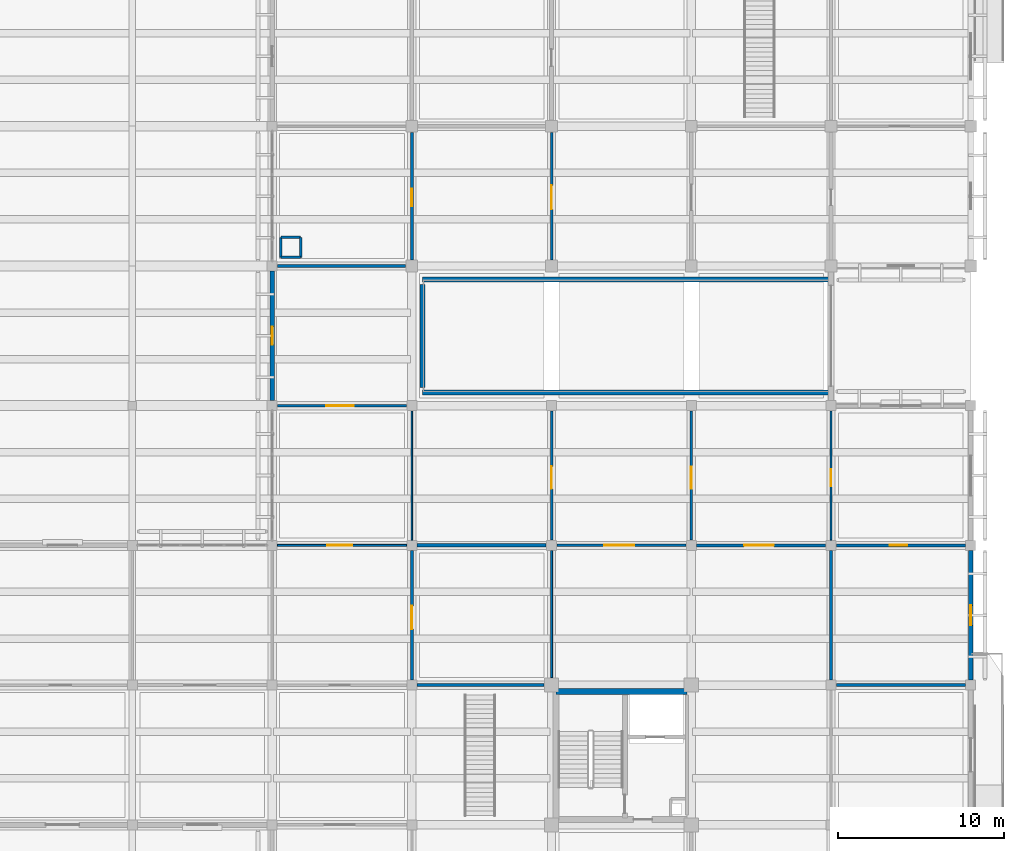
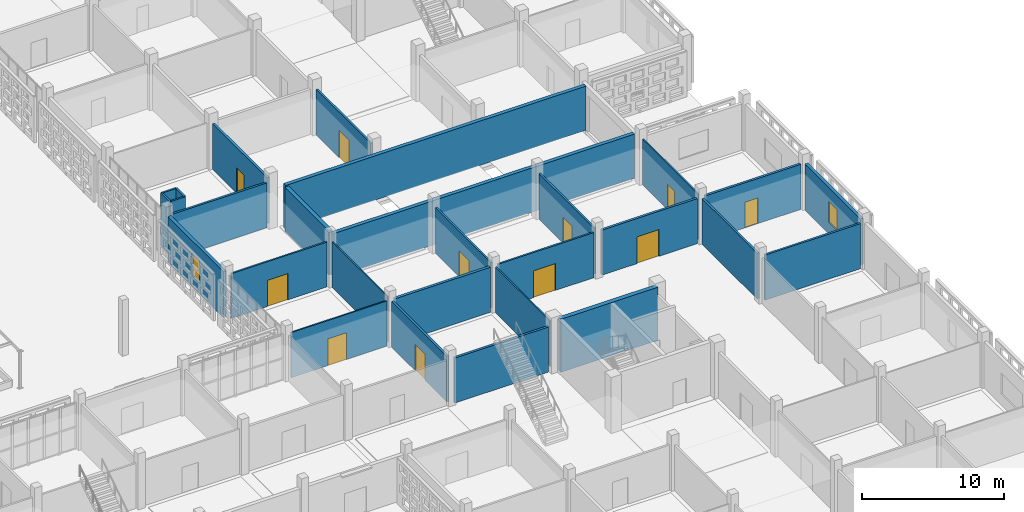
# One storey, part 70 of 129: 28 walls, 11 doors, 2 windows, 13 openings.
"""IFC4 building model written with IfcOpenShell, lengths in metres."""

from ifc_helpers import new_model, si_unit, direction, frame, frame_2d, origin, place, context, subcontext, project, spatial, rectangle, extrude, material, layer, layer_set, type_object, element, fill, save


model = new_model("IFC4")

# Units and contexts
model_context = context("Model", 3, precision=1e-05, world=origin(), true_north=direction((0.0, 1.0)))
body_context = subcontext(model_context, "Body", "Model", "MODEL_VIEW")
ifc_project = project(units=[si_unit("LENGTHUNIT", "METRE"), si_unit("AREAUNIT", "SQUARE_METRE"), si_unit("VOLUMEUNIT", "CUBIC_METRE"), si_unit("PLANEANGLEUNIT", "RADIAN"), si_unit("MASSUNIT", "GRAM", prefix="KILO")], contexts=[model_context])

# Site, building, storey
site_placement = place(None, origin())
site = spatial("IfcSite", under=ifc_project, at=site_placement, CompositionType="ELEMENT")
building_placement = place(site_placement, origin())
building = spatial("IfcBuilding", under=site, at=building_placement, Name="Varnapada Polytechnic", CompositionType="ELEMENT")
storey_placement = place(building_placement, origin())
storey = spatial("IfcBuildingStorey", under=building, at=storey_placement, Name="L00", CompositionType="ELEMENT", Elevation=0.0)

# Walls
ifc_material_1 = material(Name="Autoclaved Aerated Concrete Block AAC-600", Category="concrete")
ifc_layer_1 = layer(ifc_material_1, 0.14990234375)
ifc_layer_set_1 = layer_set([ifc_layer_1], Name="Autoclaved Aerated Concrete Block AAC-600")
wall_type_1 = type_object("IfcWallType", Name="Interior Wall IW-02", PredefinedType="PARTITIONING", material=ifc_layer_set_1)
wall_1_placement = place(storey_placement, frame((134.919921875, 59.320068359375, 0.0), z_axis=(0.0, 0.0, 1.0), x_axis=(1.0, 0.0, 0.0)))
element("IfcWall", 1, at=wall_1_placement, inside=storey, type_object=wall_type_1, Name="L00 enclosed service riser wall (17,8) S", PredefinedType="PARTITIONING", context=body_context, shape_type="SweptSolid", body=[
    extrude(rectangle(XDim=1.2001953125, YDim=0.14990234375, at=frame_2d((0.60009765625, 0.0))), origin(), (0.0, 0.0, 1.0), 4.550048828125),
])
wall_2_placement = place(storey_placement, frame((136.1201171875, 59.320068359375, 0.0), z_axis=(0.0, 0.0, 1.0), x_axis=(0.0, 1.0, 0.0)))
element("IfcWall", 2, at=wall_2_placement, inside=storey, type_object=wall_type_1, Name="L00 enclosed service riser wall (17,8) E", PredefinedType="PARTITIONING", context=body_context, shape_type="SweptSolid", body=[
    extrude(rectangle(XDim=1.199951171875, YDim=0.14990234375, at=frame_2d((0.60009765625, 0.0))), origin(), (0.0, 0.0, 1.0), 4.550048828125),
])
wall_3_placement = place(storey_placement, frame((136.1201171875, 60.52001953125, 0.0), z_axis=(0.0, 0.0, 1.0), x_axis=(-1.0, 0.0, 0.0)))
element("IfcWall", 3, at=wall_3_placement, inside=storey, type_object=wall_type_1, Name="L00 enclosed service riser wall (17,8) N", PredefinedType="PARTITIONING", context=body_context, shape_type="SweptSolid", body=[
    extrude(rectangle(XDim=1.2001953125, YDim=0.14990234375, at=frame_2d((0.60009765625, 0.0))), origin(), (0.0, 0.0, 1.0), 4.550048828125),
])
wall_4_placement = place(storey_placement, frame((134.919921875, 60.52001953125, 0.0), z_axis=(0.0, 0.0, 1.0), x_axis=(0.0, -1.0, 0.0)))
element("IfcWall", 4, at=wall_4_placement, inside=storey, type_object=wall_type_1, Name="L00 enclosed service riser wall (17,8) W", PredefinedType="PARTITIONING", context=body_context, shape_type="SweptSolid", body=[
    extrude(rectangle(XDim=1.199951171875, YDim=0.14990234375, at=frame_2d((0.60009765625, 0.0))), origin(), (0.0, 0.0, 1.0), 4.550048828125),
])

# Wall, opening, door
ifc_material_2 = material(Name="Acoustic Double-Stud Studio Partition")
ifc_layer_2 = layer(ifc_material_2, 0.179931640625)
ifc_layer_set_2 = layer_set([ifc_layer_2], Name="Acoustic Double-Stud Studio Partition")
wall_type_2 = type_object("IfcWallType", Name="Interior Wall IW-06", PredefinedType="PARTITIONING", material=ifc_layer_set_2)
wall_5_placement = place(storey_placement, frame((142.800048828125, 33.919921875, 0.0), z_axis=(0.0, 0.0, 1.0), x_axis=(0.0, 1.0, 0.0)))
wall_5 = element("IfcWall", 5, at=wall_5_placement, inside=storey, type_object=wall_type_2, Name="L00 interior partition IW-L00-16-04-V", PredefinedType="PARTITIONING", context=body_context, shape_type="SweptSolid", body=[
    extrude(rectangle(XDim=7.760009765625, YDim=0.179931640625, at=frame_2d((3.8798828125, 0.0))), origin(), (0.0, 0.0, 1.0), 3.919921875),
])
opening_1_placement = place(wall_5_placement, frame((3.050048828125, 0.0, 0.0)))
opening_1 = element("IfcOpeningElement", 6, at=opening_1_placement, cuts=wall_5, Name="Opening D-905", PredefinedType="OPENING", context=body_context, shape_type="SweptSolid", body=[
    extrude(rectangle(XDim=1.39990234375, YDim=2.25, at=frame_2d((0.699951171875, 1.125))), frame((0.0, 0.099853515625, 0.0), z_axis=(0.0, -1.0, 0.0), x_axis=(1.0, 0.0, 0.0)), (0.0, 0.0, 1.0), 0.199951171875),
])
ifc_material_3 = material(Name="Powder-Coated Aluminium 6063-T6", Category="aluminium")
door_type_1 = type_object("IfcDoorType", Name="Interior Door ID-06", OperationType="NOTDEFINED", PredefinedType="DOOR", material=ifc_material_3)
door_1_placement = place(opening_1_placement, frame((1.39990234375, 0.0, 0.0), z_axis=(0.0, 0.0, 1.0), x_axis=(-1.0, 0.0, 0.0)))
door_1 = element("IfcDoor", 7, at=door_1_placement, inside=storey, type_object=door_type_1, Name="L00 interior room door D-905", OperationType="SINGLE_SWING_RIGHT", OverallHeight=2.25, OverallWidth=1.39990234375, PredefinedType="DOOR", context=body_context, shape_type="SweptSolid", body=[
    extrude(rectangle(XDim=1.39990234375, YDim=2.25, at=frame_2d((0.699951171875, 1.125))), frame((0.0, 0.02490234375, 0.0), z_axis=(0.0, -1.0, 0.0), x_axis=(1.0, 0.0, 0.0)), (0.0, 0.0, 1.0), 0.050048828125),
])
fill(opening_1, door_1)

ifc_material_4 = material(Name="Glazed Timber-Framed Studio Screen", Category="wood")
ifc_layer_3 = layer(ifc_material_4, 0.110107421875)
ifc_layer_set_3 = layer_set([ifc_layer_3], Name="Glazed Timber-Framed Studio Screen")
wall_type_3 = type_object("IfcWallType", Name="Interior Wall IW-07", PredefinedType="PARTITIONING", material=ifc_layer_set_3)
wall_6_placement = place(storey_placement, frame((134.719970703125, 42.0, 0.0), z_axis=(0.0, 0.0, 1.0), x_axis=(1.0, 0.0, 0.0)))
wall_6 = element("IfcWall", 8, at=wall_6_placement, inside=storey, type_object=wall_type_3, Name="L00 interior partition IW-L00-16-04-H", PredefinedType="PARTITIONING", context=body_context, shape_type="SweptSolid", body=[
    extrude(rectangle(XDim=7.760009765625, YDim=0.110107421875, at=frame_2d((3.8798828125, 0.0))), origin(), (0.0, 0.0, 1.0), 3.8701171875),
])
opening_2_placement = place(wall_6_placement, frame((3.0, 0.0, 0.0)))
opening_2 = element("IfcOpeningElement", 9, at=opening_2_placement, cuts=wall_6, Name="Opening D-906", PredefinedType="OPENING", context=body_context, shape_type="SweptSolid", body=[
    extrude(rectangle(XDim=1.5, YDim=2.300048828125, at=frame_2d((0.75, 1.14990234375))), frame((0.0, 0.06494140625, 0.0), z_axis=(0.0, -1.0, 0.0), x_axis=(1.0, 0.0, 0.0)), (0.0, 0.0, 1.0), 0.130126953125),
])
ifc_material_5 = material(Name="Galvanized Steel Z275", Category="steel")
door_type_2 = type_object("IfcDoorType", Name="Interior Door ID-07", OperationType="NOTDEFINED", PredefinedType="DOOR", material=ifc_material_5)
door_2_placement = place(opening_2_placement, origin())
door_2 = element("IfcDoor", 10, at=door_2_placement, inside=storey, type_object=door_type_2, Name="L00 interior room door D-906", OperationType="SINGLE_SWING_LEFT", OverallHeight=2.300048828125, OverallWidth=1.5, PredefinedType="DOOR", context=body_context, shape_type="SweptSolid", body=[
    extrude(rectangle(XDim=1.5, YDim=2.300048828125, at=frame_2d((0.75, 1.14990234375))), frame((0.0, 0.02490234375, 0.0), z_axis=(0.0, -1.0, 0.0), x_axis=(1.0, 0.0, 0.0)), (0.0, 0.0, 1.0), 0.050048828125),
])
fill(opening_2, door_2)

# Wall
ifc_material_6 = material(Name="Operable Acoustic Seminar Partition")
ifc_layer_4 = layer(ifc_material_6, 0.10009765625)
ifc_layer_set_4 = layer_set([ifc_layer_4], Name="Operable Acoustic Seminar Partition")
wall_type_4 = type_object("IfcWallType", Name="Interior Wall IW-08", PredefinedType="MOVABLE", material=ifc_layer_set_4)
wall_7_placement = place(storey_placement, frame((142.800048828125, 42.320068359375, 0.0), z_axis=(0.0, 0.0, 1.0), x_axis=(0.0, 1.0, 0.0)))
element("IfcWall", 11, at=wall_7_placement, inside=storey, type_object=wall_type_4, Name="L00 interior partition IW-L00-16-05-V", PredefinedType="MOVABLE", context=body_context, shape_type="SweptSolid", body=[
    extrude(rectangle(XDim=7.760009765625, YDim=0.10009765625, at=frame_2d((3.8798828125, 0.0))), origin(), (0.0, 0.0, 1.0), 3.919921875),
])

# Wall, opening, door
ifc_material_7 = material(Name="Calcium Silicate Acoustic Lab Partition")
ifc_layer_5 = layer(ifc_material_7, 0.135009765625)
ifc_layer_set_5 = layer_set([ifc_layer_5], Name="Calcium Silicate Acoustic Lab Partition")
wall_type_5 = type_object("IfcWallType", Name="Interior Wall IW-09", PredefinedType="PARTITIONING", material=ifc_layer_set_5)
wall_8_placement = place(storey_placement, frame((134.719970703125, 50.39990234375, 0.0), z_axis=(0.0, 0.0, 1.0), x_axis=(1.0, 0.0, 0.0)))
wall_8 = element("IfcWall", 12, at=wall_8_placement, inside=storey, type_object=wall_type_5, Name="L00 interior partition IW-L00-16-05-H", PredefinedType="PARTITIONING", context=body_context, shape_type="SweptSolid", body=[
    extrude(rectangle(XDim=7.760009765625, YDim=0.135009765625, at=frame_2d((3.8798828125, 0.0))), origin(), (0.0, 0.0, 1.0), 3.85009765625),
])
opening_3_placement = place(wall_8_placement, frame((2.925048828125, 0.0, 0.0)))
opening_3 = element("IfcOpeningElement", 13, at=opening_3_placement, cuts=wall_8, Name="Opening D-907", PredefinedType="OPENING", context=body_context, shape_type="SweptSolid", body=[
    extrude(rectangle(XDim=1.64990234375, YDim=2.25, at=frame_2d((0.824951171875, 1.125))), frame((0.0, 0.077392578125, 0.0), z_axis=(0.0, -1.0, 0.0), x_axis=(1.0, 0.0, 0.0)), (0.0, 0.0, 1.0), 0.155029296875),
])
ifc_material_8 = material(Name="Solid Teak Hardwood Timber", Category="wood")
door_type_3 = type_object("IfcDoorType", Name="Interior Door ID-08", OperationType="NOTDEFINED", PredefinedType="DOOR", material=ifc_material_8)
door_3_placement = place(opening_3_placement, origin())
door_3 = element("IfcDoor", 14, at=door_3_placement, inside=storey, type_object=door_type_3, Name="L00 interior room door D-907", OperationType="SINGLE_SWING_RIGHT", OverallHeight=2.25, OverallWidth=1.64990234375, PredefinedType="DOOR", context=body_context, shape_type="SweptSolid", body=[
    extrude(rectangle(XDim=1.64990234375, YDim=2.25, at=frame_2d((0.824951171875, 1.125))), frame((0.0, 0.02490234375, 0.0), z_axis=(0.0, -1.0, 0.0), x_axis=(1.0, 0.0, 0.0)), (0.0, 0.0, 1.0), 0.050048828125),
])
fill(opening_3, door_3)

# Walls
ifc_material_9 = material(Name="Double-Layer Fireboard Workshop Wall")
ifc_layer_6 = layer(ifc_material_9, 0.169921875)
ifc_layer_set_6 = layer_set([ifc_layer_6], Name="Double-Layer Fireboard Workshop Wall")
wall_type_6 = type_object("IfcWallType", Name="Interior Wall IW-10", PredefinedType="PARTITIONING", material=ifc_layer_set_6)
wall_9_placement = place(storey_placement, frame((134.719970703125, 58.800048828125, 0.0), z_axis=(0.0, 0.0, 1.0), x_axis=(1.0, 0.0, 0.0)))
element("IfcWall", 15, at=wall_9_placement, inside=storey, type_object=wall_type_6, Name="L00 interior partition IW-L00-16-06-H", PredefinedType="PARTITIONING", context=body_context, shape_type="SweptSolid", body=[
    extrude(rectangle(XDim=7.7099609375, YDim=0.169921875, at=frame_2d((3.85498046875, 0.0))), origin(), (0.0, 0.0, 1.0), 3.85009765625),
])
wall_10_placement = place(storey_placement, frame((168.0, 33.919921875, 0.0), z_axis=(0.0, 0.0, 1.0), x_axis=(0.0, 1.0, 0.0)))
element("IfcWall", 16, at=wall_10_placement, inside=storey, type_object=wall_type_6, Name="L00 interior partition IW-L00-19-04-V", PredefinedType="PARTITIONING", context=body_context, shape_type="SweptSolid", body=[
    extrude(rectangle(XDim=7.760009765625, YDim=0.169921875, at=frame_2d((3.8798828125, 0.0))), origin(), (0.0, 0.0, 1.0), 3.919921875),
])
wall_11_placement = place(storey_placement, frame((168.320068359375, 33.60009765625, 0.0), z_axis=(0.0, 0.0, 1.0), x_axis=(1.0, 0.0, 0.0)))
element("IfcWall", 17, at=wall_11_placement, inside=storey, type_object=wall_type_6, Name="L00 interior partition IW-L00-20-03-H", PredefinedType="PARTITIONING", context=body_context, shape_type="SweptSolid", body=[
    extrude(rectangle(XDim=7.760009765625, YDim=0.169921875, at=frame_2d((3.8798828125, 0.0))), origin(), (0.0, 0.0, 1.0), 3.8701171875),
])

# Wall, opening, door
ifc_material_10 = material(Name="Insulated Masonry Plant Room Wall", Category="masonry")
ifc_layer_7 = layer(ifc_material_10, 0.18994140625)
ifc_layer_set_7 = layer_set([ifc_layer_7], Name="Insulated Masonry Plant Room Wall")
wall_type_7 = type_object("IfcWallType", Name="Interior Wall IW-11", PredefinedType="PARTITIONING", material=ifc_layer_set_7)
wall_12_placement = place(storey_placement, frame((142.800048828125, 59.169921875, 0.0), z_axis=(0.0, 0.0, 1.0), x_axis=(0.0, 1.0, 0.0)))
wall_12 = element("IfcWall", 18, at=wall_12_placement, inside=storey, type_object=wall_type_7, Name="L00 interior partition IW-L00-16-07-V", PredefinedType="PARTITIONING", context=body_context, shape_type="SweptSolid", body=[
    extrude(rectangle(XDim=7.66015625, YDim=0.18994140625, at=frame_2d((3.830078125, 0.0))), origin(), (0.0, 0.0, 1.0), 3.919921875),
])
opening_4_placement = place(wall_12_placement, frame((3.22509765625, 0.0, 0.0)))
opening_4 = element("IfcOpeningElement", 19, at=opening_4_placement, cuts=wall_12, Name="Opening D-908", PredefinedType="OPENING", context=body_context, shape_type="SweptSolid", body=[
    extrude(rectangle(XDim=1.050048828125, YDim=2.199951171875, at=frame_2d((0.52490234375, 1.10009765625))), frame((0.0, 0.10498046875, 0.0), z_axis=(0.0, -1.0, 0.0), x_axis=(1.0, 0.0, 0.0)), (0.0, 0.0, 1.0), 0.2099609375),
])
door_type_4 = type_object("IfcDoorType", Name="Interior Door ID-09", OperationType="NOTDEFINED", PredefinedType="DOOR", material=ifc_material_8)
door_4_placement = place(opening_4_placement, frame((1.050048828125, 0.0, 0.0), z_axis=(0.0, 0.0, 1.0), x_axis=(-1.0, 0.0, 0.0)))
door_4 = element("IfcDoor", 20, at=door_4_placement, inside=storey, type_object=door_type_4, Name="L00 interior room door D-908", OperationType="SINGLE_SWING_LEFT", OverallHeight=2.199951171875, OverallWidth=1.050048828125, PredefinedType="DOOR", context=body_context, shape_type="SweptSolid", body=[
    extrude(rectangle(XDim=1.050048828125, YDim=2.199951171875, at=frame_2d((0.52490234375, 1.10009765625))), frame((0.0, 0.02490234375, 0.0), z_axis=(0.0, -1.0, 0.0), x_axis=(1.0, 0.0, 0.0)), (0.0, 0.0, 1.0), 0.050048828125),
])
fill(opening_4, door_4)

# Wall
wall_13_placement = place(storey_placement, frame((143.1201171875, 33.60009765625, 0.0), z_axis=(0.0, 0.0, 1.0), x_axis=(1.0, 0.0, 0.0)))
element("IfcWall", 21, at=wall_13_placement, inside=storey, type_object=wall_type_7, Name="L00 interior partition IW-L00-17-03-H", PredefinedType="PARTITIONING", context=body_context, shape_type="SweptSolid", body=[
    extrude(rectangle(XDim=7.634765625, YDim=0.18994140625, at=frame_2d((3.8173828125, 0.0))), origin(), (0.0, 0.0, 1.0), 3.8701171875),
])

# Wall, opening, door
wall_14_placement = place(storey_placement, frame((159.919921875, 42.0, 0.0), z_axis=(0.0, 0.0, 1.0), x_axis=(1.0, 0.0, 0.0)))
wall_14 = element("IfcWall", 22, at=wall_14_placement, inside=storey, type_object=wall_type_7, Name="L00 interior partition IW-L00-19-04-H", PredefinedType="PARTITIONING", context=body_context, shape_type="SweptSolid", body=[
    extrude(rectangle(XDim=7.760009765625, YDim=0.18994140625, at=frame_2d((3.8798828125, 0.0))), origin(), (0.0, 0.0, 1.0), 3.8701171875),
])
opening_5_placement = place(wall_14_placement, frame((2.85009765625, 0.0, 0.0)))
opening_5 = element("IfcOpeningElement", 23, at=opening_5_placement, cuts=wall_14, Name="Opening D-934", PredefinedType="OPENING", context=body_context, shape_type="SweptSolid", body=[
    extrude(rectangle(XDim=1.800048828125, YDim=2.300048828125, at=frame_2d((0.89990234375, 1.14990234375))), frame((0.0, 0.10498046875, 0.0), z_axis=(0.0, -1.0, 0.0), x_axis=(1.0, 0.0, 0.0)), (0.0, 0.0, 1.0), 0.2099609375),
])
ifc_material_11 = material(Name="Acoustic Double Timber Leaf", Category="wood")
door_type_5 = type_object("IfcDoorType", Name="Interior Door ID-04", OperationType="NOTDEFINED", PredefinedType="DOOR", material=ifc_material_11)
door_5_placement = place(opening_5_placement, origin())
door_5 = element("IfcDoor", 24, at=door_5_placement, inside=storey, type_object=door_type_5, Name="L00 interior room door D-934", OperationType="SINGLE_SWING_LEFT", OverallHeight=2.300048828125, OverallWidth=1.800048828125, PredefinedType="DOOR", context=body_context, shape_type="SweptSolid", body=[
    extrude(rectangle(XDim=1.800048828125, YDim=2.300048828125, at=frame_2d((0.89990234375, 1.14990234375))), frame((0.0, 0.02490234375, 0.0), z_axis=(0.0, -1.0, 0.0), x_axis=(1.0, 0.0, 0.0)), (0.0, 0.0, 1.0), 0.050048828125),
])
fill(opening_5, door_5)

wall_15_placement = place(storey_placement, frame((168.320068359375, 42.0, 0.0), z_axis=(0.0, 0.0, 1.0), x_axis=(1.0, 0.0, 0.0)))
wall_15 = element("IfcWall", 25, at=wall_15_placement, inside=storey, type_object=wall_type_7, Name="L00 interior partition IW-L00-20-04-H", PredefinedType="PARTITIONING", context=body_context, shape_type="SweptSolid", body=[
    extrude(rectangle(XDim=7.760009765625, YDim=0.18994140625, at=frame_2d((3.8798828125, 0.0))), origin(), (0.0, 0.0, 1.0), 3.8701171875),
])
opening_6_placement = place(wall_15_placement, frame((3.22509765625, 0.0, 0.0)))
opening_6 = element("IfcOpeningElement", 26, at=opening_6_placement, cuts=wall_15, Name="Opening D-942", PredefinedType="OPENING", context=body_context, shape_type="SweptSolid", body=[
    extrude(rectangle(XDim=1.050048828125, YDim=2.199951171875, at=frame_2d((0.52490234375, 1.10009765625))), frame((0.0, 0.10498046875, 0.0), z_axis=(0.0, -1.0, 0.0), x_axis=(1.0, 0.0, 0.0)), (0.0, 0.0, 1.0), 0.2099609375),
])
door_6_placement = place(opening_6_placement, origin())
door_6 = element("IfcDoor", 27, at=door_6_placement, inside=storey, type_object=door_type_4, Name="L00 interior room door D-942", OperationType="SINGLE_SWING_LEFT", OverallHeight=2.199951171875, OverallWidth=1.050048828125, PredefinedType="DOOR", context=body_context, shape_type="SweptSolid", body=[
    extrude(rectangle(XDim=1.050048828125, YDim=2.199951171875, at=frame_2d((0.52490234375, 1.10009765625))), frame((0.0, 0.02490234375, 0.0), z_axis=(0.0, -1.0, 0.0), x_axis=(1.0, 0.0, 0.0)), (0.0, 0.0, 1.0), 0.050048828125),
])
fill(opening_6, door_6)

# Wall
ifc_material_12 = material(Name="Timber-Stud Studio Critique Partition", Category="wood")
ifc_layer_8 = layer(ifc_material_12, 0.114990234375)
ifc_layer_set_8 = layer_set([ifc_layer_8], Name="Timber-Stud Studio Critique Partition")
wall_type_8 = type_object("IfcWallType", Name="Interior Wall IW-12", PredefinedType="PARTITIONING", material=ifc_layer_set_8)
wall_16_placement = place(storey_placement, frame((151.199951171875, 34.044921875, 0.0), z_axis=(0.0, 0.0, 1.0), x_axis=(0.0, 1.0, 0.0)))
element("IfcWall", 28, at=wall_16_placement, inside=storey, type_object=wall_type_8, Name="L00 interior partition IW-L00-17-04-V", PredefinedType="PARTITIONING", context=body_context, shape_type="SweptSolid", body=[
    extrude(rectangle(XDim=7.635009765625, YDim=0.114990234375, at=frame_2d((3.8173828125, 0.0))), origin(), (0.0, 0.0, 1.0), 3.919921875),
])

# Wall, opening, door
wall_17_placement = place(storey_placement, frame((168.0, 42.320068359375, 0.0), z_axis=(0.0, 0.0, 1.0), x_axis=(0.0, 1.0, 0.0)))
wall_17 = element("IfcWall", 29, at=wall_17_placement, inside=storey, type_object=wall_type_8, Name="L00 interior partition IW-L00-19-05-V", PredefinedType="PARTITIONING", context=body_context, shape_type="SweptSolid", body=[
    extrude(rectangle(XDim=7.760009765625, YDim=0.114990234375, at=frame_2d((3.8798828125, 0.0))), origin(), (0.0, 0.0, 1.0), 3.919921875),
])
opening_7_placement = place(wall_17_placement, frame((3.25, 0.0, 0.0)))
opening_7 = element("IfcOpeningElement", 30, at=opening_7_placement, cuts=wall_17, Name="Opening D-935", PredefinedType="OPENING", context=body_context, shape_type="SweptSolid", body=[
    extrude(rectangle(XDim=1.0, YDim=2.14990234375, at=frame_2d((0.5, 1.074951171875))), frame((0.0, 0.0673828125, 0.0), z_axis=(0.0, -1.0, 0.0), x_axis=(1.0, 0.0, 0.0)), (0.0, 0.0, 1.0), 0.135009765625),
])
door_type_6 = type_object("IfcDoorType", Name="Interior Door ID-02", OperationType="NOTDEFINED", PredefinedType="DOOR", material=ifc_material_8)
door_7_placement = place(opening_7_placement, frame((1.0, 0.0, 0.0), z_axis=(0.0, 0.0, 1.0), x_axis=(-1.0, 0.0, 0.0)))
door_7 = element("IfcDoor", 31, at=door_7_placement, inside=storey, type_object=door_type_6, Name="L00 interior room door D-935", OperationType="SINGLE_SWING_RIGHT", OverallHeight=2.14990234375, OverallWidth=1.0, PredefinedType="DOOR", context=body_context, shape_type="SweptSolid", body=[
    extrude(rectangle(XDim=1.0, YDim=2.14990234375, at=frame_2d((0.5, 1.074951171875))), frame((0.0, 0.02490234375, 0.0), z_axis=(0.0, -1.0, 0.0), x_axis=(1.0, 0.0, 0.0)), (0.0, 0.0, 1.0), 0.050048828125),
])
fill(opening_7, door_7)

# Wall
ifc_material_13 = material(Name="Heavy Acoustic Auditorium Baffle Wall")
ifc_layer_9 = layer(ifc_material_13, 0.219970703125)
ifc_layer_set_9 = layer_set([ifc_layer_9], Name="Heavy Acoustic Auditorium Baffle Wall")
wall_type_9 = type_object("IfcWallType", Name="Interior Wall IW-13", PredefinedType="PARTITIONING", material=ifc_layer_set_9)
wall_18_placement = place(storey_placement, frame((143.1201171875, 42.0, 0.0), z_axis=(0.0, 0.0, 1.0), x_axis=(1.0, 0.0, 0.0)))
element("IfcWall", 32, at=wall_18_placement, inside=storey, type_object=wall_type_9, Name="L00 interior partition IW-L00-17-04-H", PredefinedType="PARTITIONING", context=body_context, shape_type="SweptSolid", body=[
    extrude(rectangle(XDim=7.759765625, YDim=0.219970703125, at=frame_2d((3.8798828125, 0.0))), origin(), (0.0, 0.0, 1.0), 3.8701171875),
])

# Wall, opening, door
ifc_material_14 = material(Name="Ceramic-Tiled Wet Laboratory Wall")
ifc_layer_10 = layer(ifc_material_14, 0.14501953125)
ifc_layer_set_10 = layer_set([ifc_layer_10], Name="Ceramic-Tiled Wet Laboratory Wall")
wall_type_10 = type_object("IfcWallType", Name="Interior Wall IW-14", PredefinedType="PARTITIONING", material=ifc_layer_set_10)
wall_19_placement = place(storey_placement, frame((151.199951171875, 42.320068359375, 0.0), z_axis=(0.0, 0.0, 1.0), x_axis=(0.0, 1.0, 0.0)))
wall_19 = element("IfcWall", 33, at=wall_19_placement, inside=storey, type_object=wall_type_10, Name="L00 interior partition IW-L00-17-05-V", PredefinedType="PARTITIONING", context=body_context, shape_type="SweptSolid", body=[
    extrude(rectangle(XDim=7.760009765625, YDim=0.14501953125, at=frame_2d((3.8798828125, 0.0))), origin(), (0.0, 0.0, 1.0), 3.919921875),
])
opening_8_placement = place(wall_19_placement, frame((3.074951171875, 0.0, 0.0)))
opening_8 = element("IfcOpeningElement", 34, at=opening_8_placement, cuts=wall_19, Name="Opening D-916", PredefinedType="OPENING", context=body_context, shape_type="SweptSolid", body=[
    extrude(rectangle(XDim=1.35009765625, YDim=2.25, at=frame_2d((0.675048828125, 1.125))), frame((0.0, 0.08251953125, 0.0), z_axis=(0.0, -1.0, 0.0), x_axis=(1.0, 0.0, 0.0)), (0.0, 0.0, 1.0), 0.1650390625),
])
door_type_7 = type_object("IfcDoorType", Name="Interior Door ID-17", OperationType="NOTDEFINED", PredefinedType="DOOR", material=ifc_material_3)
door_8_placement = place(opening_8_placement, origin())
door_8 = element("IfcDoor", 35, at=door_8_placement, inside=storey, type_object=door_type_7, Name="L00 interior room door D-916", OperationType="SINGLE_SWING_LEFT", OverallHeight=2.25, OverallWidth=1.35009765625, PredefinedType="DOOR", context=body_context, shape_type="SweptSolid", body=[
    extrude(rectangle(XDim=1.35009765625, YDim=2.25, at=frame_2d((0.675048828125, 1.125))), frame((0.0, 0.02490234375, 0.0), z_axis=(0.0, -1.0, 0.0), x_axis=(1.0, 0.0, 0.0)), (0.0, 0.0, 1.0), 0.050048828125),
])
fill(opening_8, door_8)

wall_20_placement = place(storey_placement, frame((151.52001953125, 42.0, 0.0), z_axis=(0.0, 0.0, 1.0), x_axis=(1.0, 0.0, 0.0)))
wall_20 = element("IfcWall", 36, at=wall_20_placement, inside=storey, type_object=wall_type_10, Name="L00 interior partition IW-L00-18-04-H", PredefinedType="PARTITIONING", context=body_context, shape_type="SweptSolid", body=[
    extrude(rectangle(XDim=7.760009765625, YDim=0.14501953125, at=frame_2d((3.8798828125, 0.0))), origin(), (0.0, 0.0, 1.0), 3.8701171875),
])
opening_9_placement = place(wall_20_placement, frame((2.85009765625, 0.0, 0.0)))
opening_9 = element("IfcOpeningElement", 37, at=opening_9_placement, cuts=wall_20, Name="Opening D-926", PredefinedType="OPENING", context=body_context, shape_type="SweptSolid", body=[
    extrude(rectangle(XDim=1.800048828125, YDim=2.300048828125, at=frame_2d((0.89990234375, 1.14990234375))), frame((0.0, 0.08251953125, 0.0), z_axis=(0.0, -1.0, 0.0), x_axis=(1.0, 0.0, 0.0)), (0.0, 0.0, 1.0), 0.1650390625),
])
door_9_placement = place(opening_9_placement, frame((1.800048828125, 0.0, 0.0), z_axis=(0.0, 0.0, 1.0), x_axis=(-1.0, 0.0, 0.0)))
door_9 = element("IfcDoor", 38, at=door_9_placement, inside=storey, type_object=door_type_5, Name="L00 interior room door D-926", OperationType="SINGLE_SWING_LEFT", OverallHeight=2.300048828125, OverallWidth=1.800048828125, PredefinedType="DOOR", context=body_context, shape_type="SweptSolid", body=[
    extrude(rectangle(XDim=1.800048828125, YDim=2.300048828125, at=frame_2d((0.89990234375, 1.14990234375))), frame((0.0, 0.02490234375, 0.0), z_axis=(0.0, -1.0, 0.0), x_axis=(1.0, 0.0, 0.0)), (0.0, 0.0, 1.0), 0.050048828125),
])
fill(opening_9, door_9)

ifc_material_15 = material(Name="Perforated Timber-Lined Seminar Wall", Category="wood")
ifc_layer_11 = layer(ifc_material_15, 0.155029296875)
ifc_layer_set_11 = layer_set([ifc_layer_11], Name="Perforated Timber-Lined Seminar Wall")
wall_type_11 = type_object("IfcWallType", Name="Interior Wall IW-15", PredefinedType="PARTITIONING", material=ifc_layer_set_11)
wall_21_placement = place(storey_placement, frame((151.199951171875, 59.169921875, 0.0), z_axis=(0.0, 0.0, 1.0), x_axis=(0.0, 1.0, 0.0)))
wall_21 = element("IfcWall", 39, at=wall_21_placement, inside=storey, type_object=wall_type_11, Name="L00 interior partition IW-L00-17-07-V", PredefinedType="PARTITIONING", context=body_context, shape_type="SweptSolid", body=[
    extrude(rectangle(XDim=7.66015625, YDim=0.155029296875, at=frame_2d((3.830078125, 0.0))), origin(), (0.0, 0.0, 1.0), 3.919921875),
])
opening_10_placement = place(wall_21_placement, frame((3.02490234375, 0.0, 0.0)))
opening_10 = element("IfcOpeningElement", 40, at=opening_10_placement, cuts=wall_21, Name="Opening D-917", PredefinedType="OPENING", context=body_context, shape_type="SweptSolid", body=[
    extrude(rectangle(XDim=1.449951171875, YDim=2.35009765625, at=frame_2d((0.72509765625, 1.175048828125))), frame((0.0, 0.08740234375, 0.0), z_axis=(0.0, -1.0, 0.0), x_axis=(1.0, 0.0, 0.0)), (0.0, 0.0, 1.0), 0.175048828125),
])
door_type_8 = type_object("IfcDoorType", Name="Interior Door ID-18", OperationType="NOTDEFINED", PredefinedType="DOOR", material=ifc_material_5)
door_10_placement = place(opening_10_placement, frame((1.449951171875, 0.0, 0.0), z_axis=(0.0, 0.0, 1.0), x_axis=(-1.0, 0.0, 0.0)))
door_10 = element("IfcDoor", 41, at=door_10_placement, inside=storey, type_object=door_type_8, Name="L00 interior room door D-917", OperationType="SINGLE_SWING_RIGHT", OverallHeight=2.35009765625, OverallWidth=1.449951171875, PredefinedType="DOOR", context=body_context, shape_type="SweptSolid", body=[
    extrude(rectangle(XDim=1.449951171875, YDim=2.35009765625, at=frame_2d((0.72509765625, 1.175048828125))), frame((0.0, 0.02490234375, 0.0), z_axis=(0.0, -1.0, 0.0), x_axis=(1.0, 0.0, 0.0)), (0.0, 0.0, 1.0), 0.050048828125),
])
fill(opening_10, door_10)

wall_22_placement = place(storey_placement, frame((159.60009765625, 42.320068359375, 0.0), z_axis=(0.0, 0.0, 1.0), x_axis=(0.0, 1.0, 0.0)))
wall_22 = element("IfcWall", 42, at=wall_22_placement, inside=storey, type_object=wall_type_11, Name="L00 interior partition IW-L00-18-05-V", PredefinedType="PARTITIONING", context=body_context, shape_type="SweptSolid", body=[
    extrude(rectangle(XDim=7.760009765625, YDim=0.155029296875, at=frame_2d((3.8798828125, 0.0))), origin(), (0.0, 0.0, 1.0), 3.919921875),
])
opening_11_placement = place(wall_22_placement, frame((3.10009765625, 0.0, 0.0)))
opening_11 = element("IfcOpeningElement", 43, at=opening_11_placement, cuts=wall_22, Name="Opening D-927", PredefinedType="OPENING", context=body_context, shape_type="SweptSolid", body=[
    extrude(rectangle(XDim=1.300048828125, YDim=2.199951171875, at=frame_2d((0.64990234375, 1.10009765625))), frame((0.0, 0.08740234375, 0.0), z_axis=(0.0, -1.0, 0.0), x_axis=(1.0, 0.0, 0.0)), (0.0, 0.0, 1.0), 0.175048828125),
])
ifc_material_16 = material(Name="Acoustic Laminated Timber Leaf", Category="wood")
door_type_9 = type_object("IfcDoorType", Name="Interior Door ID-11", OperationType="NOTDEFINED", PredefinedType="DOOR", material=ifc_material_16)
door_11_placement = place(opening_11_placement, origin())
door_11 = element("IfcDoor", 44, at=door_11_placement, inside=storey, type_object=door_type_9, Name="L00 interior room door D-927", OperationType="SINGLE_SWING_RIGHT", OverallHeight=2.199951171875, OverallWidth=1.300048828125, PredefinedType="DOOR", context=body_context, shape_type="SweptSolid", body=[
    extrude(rectangle(XDim=1.300048828125, YDim=2.199951171875, at=frame_2d((0.64990234375, 1.10009765625))), frame((0.0, 0.02490234375, 0.0), z_axis=(0.0, -1.0, 0.0), x_axis=(1.0, 0.0, 0.0)), (0.0, 0.0, 1.0), 0.050048828125),
])
fill(opening_11, door_11)

# Walls
ifc_material_17 = material(Name="Concrete C40/50", Category="concrete")
ifc_layer_12 = layer(ifc_material_17, 0.35009765625)
ifc_layer_set_12 = layer_set([ifc_layer_12], Name="Concrete C40/50")
wall_type_12 = type_object("IfcWallType", Name="Interior Wall SW-01", PredefinedType="SHEAR", material=ifc_layer_set_12)
wall_23_placement = place(storey_placement, frame((151.465087890625, 33.219970703125, 0.0), z_axis=(0.0, 0.0, 1.0), x_axis=(1.0, 0.0, 0.0)))
element("IfcWall", 45, at=wall_23_placement, inside=storey, type_object=wall_type_12, Name="L00 C6 core north shear wall", PredefinedType="SHEAR", context=body_context, shape_type="SweptSolid", body=[
    extrude(rectangle(XDim=7.875, YDim=0.35009765625, at=frame_2d((3.9375, 0.0))), origin(), (0.0, 0.0, 1.0), 4.550048828125),
])
ifc_layer_13 = layer(ifc_material_17, 0.300048828125)
ifc_layer_set_13 = layer_set([ifc_layer_13], Name="Concrete C40/50")
wall_type_13 = type_object("IfcWallType", Name="Interior Wall SW-02", PredefinedType="SHEAR", material=ifc_layer_set_13)
for number, where, z_axis, x_axis, name in (
    (46, (143.449951171875, 51.199951171875, 0.0), (0.0, 0.0, 1.0), (1.0, 0.0, 0.0), "L00 vehicle ramp enclosure south wall"),
    (47, (167.85009765625, 58.0, 0.0), (0.0, 0.0, 1.0), (-1.0, 0.0, 0.0), "L00 vehicle ramp enclosure north wall"),
):
    element("IfcWall", number, at=place(storey_placement, frame(where, z_axis=z_axis, x_axis=x_axis)), inside=storey, type_object=wall_type_13, Name=name, PredefinedType="SHEAR", context=body_context, shape_type="SweptSolid", body=[
        extrude(rectangle(XDim=24.400146484375, YDim=0.300048828125, at=frame_2d((12.2001953125, 0.0))), origin(), (0.0, 0.0, 1.0), 3.800048828125),
    ])
wall_24_placement = place(storey_placement, frame((143.449951171875, 57.699951171875, 0.0), z_axis=(0.0, 0.0, 1.0), x_axis=(0.0, -1.0, 0.0)))
element("IfcWall", 48, at=wall_24_placement, inside=storey, type_object=wall_type_13, Name="L00 vehicle ramp enclosure west head wall", PredefinedType="SHEAR", context=body_context, shape_type="SweptSolid", body=[
    extrude(rectangle(XDim=6.199951171875, YDim=0.300048828125, at=frame_2d((3.10009765625, 0.0))), origin(), (0.0, 0.0, 1.0), 3.800048828125),
])

# Wall, opening, window
ifc_material_18 = material(Name="Precast concrete C40/50", Category="concrete")
ifc_layer_14 = layer(ifc_material_18, 0.260009765625)
ifc_layer_set_14 = layer_set([ifc_layer_14], Name="Precast concrete C40/50")
wall_type_14 = type_object("IfcWallType", Name="Wall EW-03", PredefinedType="SOLIDWALL", material=ifc_layer_set_14)
wall_25_placement = place(storey_placement, frame((134.39990234375, 50.699951171875, 0.0), z_axis=(0.0, 0.0, 1.0), x_axis=(0.0, 1.0, 0.0)))
wall_25 = element("IfcWall", 49, at=wall_25_placement, inside=storey, type_object=wall_type_14, Name="L00 exterior wall EW-03 (86)", PredefinedType="SOLIDWALL", context=body_context, shape_type="SweptSolid", body=[
    extrude(rectangle(XDim=7.800048828125, YDim=0.260009765625, at=frame_2d((3.89990234375, 0.0))), origin(), (0.0, 0.0, 1.0), 3.9599609375),
])
opening_12_placement = place(wall_25_placement, frame((3.35009765625, 0.0, 0.949951171875)))
opening_12 = element("IfcOpeningElement", 50, at=opening_12_placement, cuts=wall_25, Name="Opening WN-15", PredefinedType="OPENING", context=body_context, shape_type="SweptSolid", body=[
    extrude(rectangle(XDim=1.10009765625, YDim=1.949951171875, at=frame_2d((0.550048828125, 0.97509765625))), frame((0.0, 0.139892578125, 0.0), z_axis=(0.0, -1.0, 0.0), x_axis=(1.0, 0.0, 0.0)), (0.0, 0.0, 1.0), 0.280029296875),
])
ifc_material_19 = material(Name="Double low-E laminated glass", Category="glass")
window_type_1 = type_object("IfcWindowType", Name="Window WN-15", PartitioningType="SINGLE_PANEL", PredefinedType="WINDOW", material=ifc_material_19)
window_1_placement = place(opening_12_placement, origin())
window_1 = element("IfcWindow", 51, at=window_1_placement, inside=storey, type_object=window_type_1, Name="L00 window WN-15 (43)", OverallHeight=1.949951171875, OverallWidth=1.10009765625, PartitioningType="SINGLE_PANEL", PredefinedType="WINDOW", context=body_context, shape_type="SweptSolid", body=[
    extrude(rectangle(XDim=1.10009765625, YDim=1.949951171875, at=frame_2d((0.550048828125, 0.97509765625))), frame((0.0, 0.030029296875, 0.0), z_axis=(0.0, -1.0, 0.0), x_axis=(1.0, 0.0, 0.0)), (0.0, 0.0, 1.0), 0.06005859375),
])
fill(opening_12, window_1)

ifc_layer_15 = layer(ifc_material_18, 0.25)
ifc_layer_set_15 = layer_set([ifc_layer_15], Name="Precast concrete C40/50")
wall_type_15 = type_object("IfcWallType", Name="Wall EW-05", PredefinedType="SOLIDWALL", material=ifc_layer_set_15)
wall_26_placement = place(storey_placement, frame((176.39990234375, 41.699951171875, 0.0), z_axis=(0.0, 0.0, 1.0), x_axis=(0.0, -1.0, 0.0)))
wall_26 = element("IfcWall", 52, at=wall_26_placement, inside=storey, type_object=wall_type_15, Name="L00 exterior wall EW-05 (102)", PredefinedType="SOLIDWALL", context=body_context, shape_type="SweptSolid", body=[
    extrude(rectangle(XDim=7.800048828125, YDim=0.25, at=frame_2d((3.89990234375, 0.0))), origin(), (0.0, 0.0, 1.0), 3.9599609375),
])
opening_13_placement = place(wall_26_placement, frame((3.300048828125, 0.0, 0.949951171875)))
opening_13 = element("IfcOpeningElement", 53, at=opening_13_placement, cuts=wall_26, Name="Opening WN-01", PredefinedType="OPENING", context=body_context, shape_type="SweptSolid", body=[
    extrude(rectangle(XDim=1.199951171875, YDim=1.800048828125, at=frame_2d((0.60009765625, 0.89990234375))), frame((0.0, 0.135009765625, 0.0), z_axis=(0.0, -1.0, 0.0), x_axis=(1.0, 0.0, 0.0)), (0.0, 0.0, 1.0), 0.27001953125),
])
window_type_2 = type_object("IfcWindowType", Name="Window WN-01", PartitioningType="SINGLE_PANEL", PredefinedType="WINDOW", material=ifc_material_19)
window_2_placement = place(opening_13_placement, origin())
window_2 = element("IfcWindow", 54, at=window_2_placement, inside=storey, type_object=window_type_2, Name="L00 window WN-01 (55)", OverallHeight=1.800048828125, OverallWidth=1.199951171875, PartitioningType="SINGLE_PANEL", PredefinedType="WINDOW", context=body_context, shape_type="SweptSolid", body=[
    extrude(rectangle(XDim=1.199951171875, YDim=1.800048828125, at=frame_2d((0.60009765625, 0.89990234375))), frame((0.0, 0.030029296875, 0.0), z_axis=(0.0, -1.0, 0.0), x_axis=(1.0, 0.0, 0.0)), (0.0, 0.0, 1.0), 0.06005859375),
])
fill(opening_13, window_2)

save(model, "model.ifc")
